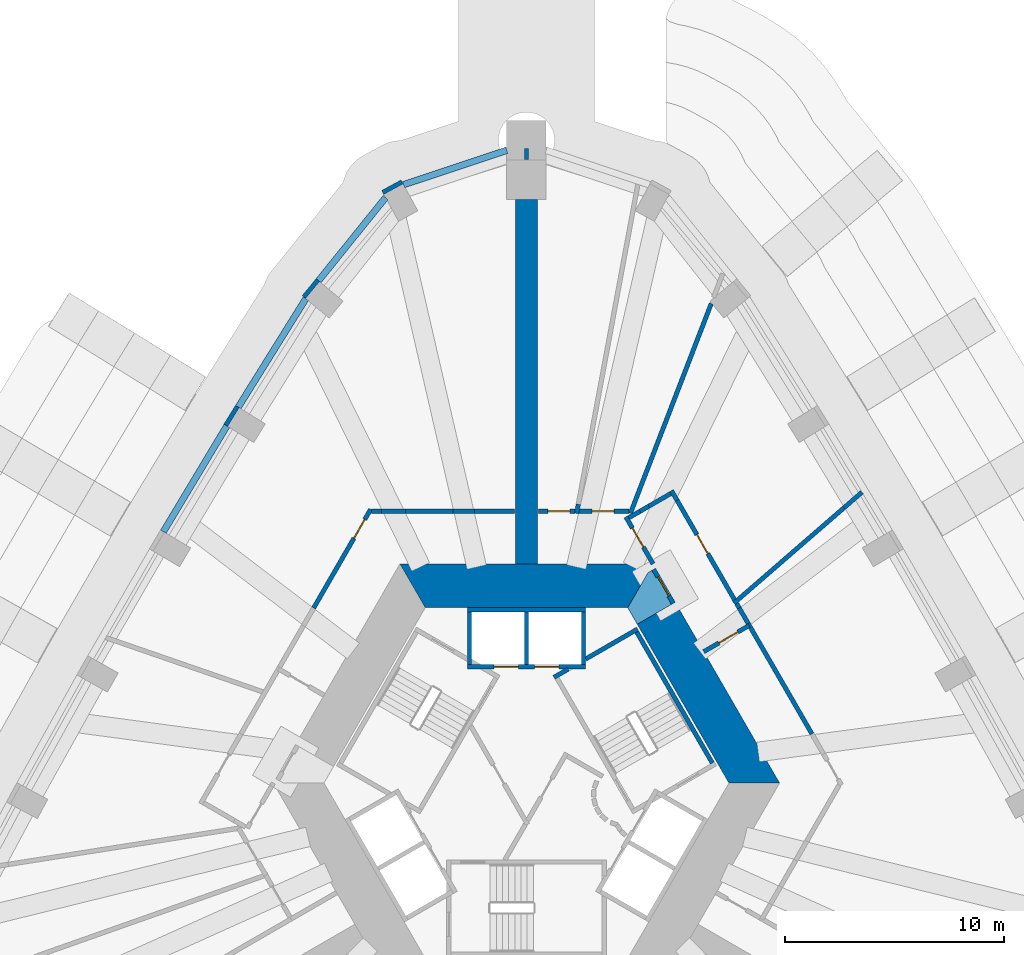
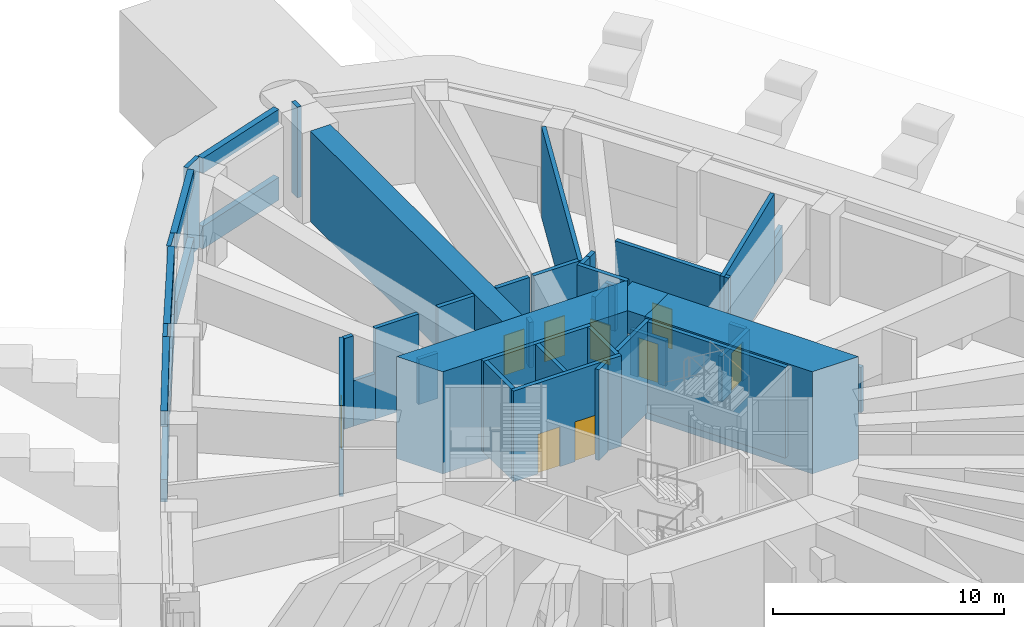
# One storey, part 7 of 16: 47 walls, 9 doors, 9 openings.
"""IFC4 building model written with IfcOpenShell, lengths in metres."""

from ifc_helpers import new_model, si_unit, direction, frame, frame_2d, origin, place, context, subcontext, project, spatial, polyline, rectangle, outline, extrude, material, layer, layer_set, type_object, element, fill, save


model = new_model("IFC4")

# Units and contexts
model_context = context("Model", 3, precision=1e-05, world=origin(), true_north=direction((0.0, 1.0)))
body_context = subcontext(model_context, "Body", "Model", "MODEL_VIEW")
ifc_project = project(units=[si_unit("LENGTHUNIT", "METRE"), si_unit("AREAUNIT", "SQUARE_METRE"), si_unit("VOLUMEUNIT", "CUBIC_METRE"), si_unit("PLANEANGLEUNIT", "RADIAN"), si_unit("MASSUNIT", "GRAM", prefix="KILO")], contexts=[model_context])

# Site, building, storey
site_placement = place(None, origin())
site = spatial("IfcSite", under=ifc_project, at=site_placement, CompositionType="ELEMENT")
building_placement = place(site_placement, origin())
building = spatial("IfcBuilding", under=site, at=building_placement, Name="Entoto Arch Interchange Tower", CompositionType="ELEMENT")
storey_placement = place(building_placement, frame((0.0, 0.0, 281.0)))
storey = spatial("IfcBuildingStorey", under=building, at=storey_placement, Name="L65", CompositionType="ELEMENT", Elevation=281.0)

# Wall, opening, door
ifc_material_1 = material(Name="Reinforced concrete C40/50", Category="concrete")
ifc_layer_1 = layer(ifc_material_1, 0.199951171875)
ifc_layer_set_1 = layer_set([ifc_layer_1], Name="Reinforced concrete C40/50")
wall_type_1 = type_object("IfcWallType", Name="CORE GAP INFILL WALL", PredefinedType="PARTITIONING", material=ifc_layer_set_1)
wall_1_placement = place(storey_placement, frame((6.698974609375, 10.697021484375, 0.0), z_axis=(0.0, 0.0, 1.0), x_axis=(-0.499914839587, 0.866074565589, 0.0)))
wall_1 = element("IfcWall", 1, at=wall_1_placement, inside=storey, type_object=wall_type_1, Name="wall:L65:gap2", PredefinedType="PARTITIONING", context=body_context, shape_type="SweptSolid", body=[
    extrude(rectangle(XDim=1.794189453125, YDim=0.199951171875, at=frame_2d((0.89697265625, 0.0))), origin(), (0.0, 0.0, 1.0), 2.39990234375),
])
opening_1_placement = place(wall_1_placement, frame((0.39697265625, 0.0, 0.0)))
opening_1 = element("IfcOpeningElement", 2, at=opening_1_placement, cuts=wall_1, Name="Opening L65-D92", PredefinedType="OPENING", context=body_context, shape_type="SweptSolid", body=[
    extrude(rectangle(XDim=1.0, YDim=2.10009765625, at=frame_2d((0.5, 1.050048828125))), frame((0.0, 0.10986328125, 0.0), z_axis=(0.0, -1.0, 0.0), x_axis=(1.0, 0.0, 0.0)), (0.0, 0.0, 1.0), 0.219970703125),
])
ifc_material_2 = material(Name="Fire-rated Steel S235 door and frame", Category="steel")
door_type_1 = type_object("IfcDoorType", Name="DOOR FD-10 1000x2100", OperationType="SINGLE_SWING_LEFT", PredefinedType="DOOR", material=ifc_material_2)
door_1_placement = place(opening_1_placement, origin())
door_1 = element("IfcDoor", 3, at=door_1_placement, inside=storey, type_object=door_type_1, Name="door:L65:gap2", OperationType="SINGLE_SWING_LEFT", OverallHeight=2.10009765625, OverallWidth=1.0, PredefinedType="DOOR", context=body_context, shape_type="SweptSolid", body=[
    extrude(rectangle(XDim=1.0, YDim=2.10009765625, at=frame_2d((0.5, 1.050048828125))), frame((0.0, 0.02490234375, 0.0), z_axis=(0.0, -1.0, 0.0), x_axis=(1.0, 0.0, 0.0)), (0.0, 0.0, 1.0), 0.050048828125),
])
fill(opening_1, door_1)

# Walls
ifc_material_3 = material(Name="Concrete C40/50", Category="concrete")
ifc_layer_2 = layer(ifc_material_3, 2.0)
ifc_layer_set_2 = layer_set([ifc_layer_2], Name="Concrete C40/50")
wall_type_2 = type_object("IfcWallType", Name="Core wall 2000 C40/50", PredefinedType="SHEAR", material=ifc_layer_set_2)
wall_2_placement = place(storey_placement, frame((0.0, 0.0, -0.60009765625)))
element("IfcWall", 4, at=wall_2_placement, inside=storey, type_object=wall_type_2, Name="Core wall NE L65", PredefinedType="SHEAR", context=body_context, shape_type="SweptSolid", body=[
    extrude(outline(polyline([(6.785888671875, 10.7470703125), (5.053955078125, 9.7470703125), (9.238037109375, 2.5), (11.547119140625, 2.5), (6.785888671875, 10.7470703125)])), origin(), (0.0, 0.0, 1.0), 5.400146484375),
])
wall_3_placement = place(storey_placement, frame((0.0, 0.0, 3.60009765625)))
element("IfcWall", 5, at=wall_3_placement, inside=storey, type_object=wall_type_2, Name="Core wall lintel NE L65", PredefinedType="SHEAR", context=body_context, shape_type="SweptSolid", body=[
    extrude(outline(polyline([(5.888916015625, 12.301025390625), (5.5439453125, 12.10205078125), (4.618896484375, 10.5), (5.053955078125, 9.7470703125), (6.785888671875, 10.7470703125), (5.888916015625, 12.301025390625)])), origin(), (0.0, 0.0, 1.0), 1.199951171875),
])
wall_4_placement = place(storey_placement, frame((0.0, 0.0, -0.60009765625)))
element("IfcWall", 6, at=wall_4_placement, inside=storey, type_object=wall_type_2, Name="Core wall N L65", PredefinedType="SHEAR", context=body_context, shape_type="SweptSolid", body=[
    extrude(outline(polyline([(5.77392578125, 12.5), (-5.77392578125, 12.5), (-4.618896484375, 10.5), (4.618896484375, 10.5), (5.77392578125, 12.5)])), origin(), (0.0, 0.0, 1.0), 5.400146484375),
])

# Wall, openings, doors
ifc_layer_3 = layer(ifc_material_3, 0.199951171875)
ifc_layer_set_3 = layer_set([ifc_layer_3], Name="Concrete C40/50")
wall_type_3 = type_object("IfcWallType", Name="LIFT SHAFT WALL 200", PredefinedType="STANDARD", material=ifc_layer_set_3)
wall_5_placement = place(storey_placement, frame((2.699951171875, 7.800048828125, 0.0), z_axis=(0.0, 0.0, 1.0), x_axis=(-1.0, 0.0, 0.0)))
wall_5 = element("IfcWall", 7, at=wall_5_placement, inside=storey, type_object=wall_type_3, Name="Shaft wall N1 front", PredefinedType="STANDARD", context=body_context, shape_type="SweptSolid", body=[
    extrude(rectangle(XDim=5.39990234375, YDim=0.199951171875, at=frame_2d((2.699951171875, 0.0))), origin(), (0.0, 0.0, 1.0), 4.800048828125),
])
opening_2_placement = place(wall_5_placement, frame((1.22509765625, 0.0, 0.0)))
opening_2 = element("IfcOpeningElement", 8, at=opening_2_placement, cuts=wall_5, Name="Opening LD-HR1-L65", PredefinedType="OPENING", context=body_context, shape_type="SweptSolid", body=[
    extrude(rectangle(XDim=1.10009765625, YDim=2.10009765625, at=frame_2d((0.550048828125, 1.050048828125))), frame((0.0, 0.10986328125, 0.0), z_axis=(0.0, -1.0, 0.0), x_axis=(1.0, 0.0, 0.0)), (0.0, 0.0, 1.0), 0.219970703125),
])
opening_3_placement = place(wall_5_placement, frame((3.074951171875, 0.0, 0.0)))
opening_3 = element("IfcOpeningElement", 9, at=opening_3_placement, cuts=wall_5, Name="Opening LD-HR2-L65", PredefinedType="OPENING", context=body_context, shape_type="SweptSolid", body=[
    extrude(rectangle(XDim=1.10009765625, YDim=2.10009765625, at=frame_2d((0.550048828125, 1.050048828125))), frame((0.0, 0.10986328125, 0.0), z_axis=(0.0, -1.0, 0.0), x_axis=(1.0, 0.0, 0.0)), (0.0, 0.0, 1.0), 0.219970703125),
])
ifc_material_4 = material(Name="Stainless steel 1.4301 panels", Category="steel")
door_type_2 = type_object("IfcDoorType", Name="LIFT LANDING DOOR LD1 1100x2100", OperationType="SLIDING_TO_LEFT", PredefinedType="DOOR", material=ifc_material_4)
door_2_placement = place(opening_2_placement, origin())
door_2 = element("IfcDoor", 10, at=door_2_placement, inside=storey, type_object=door_type_2, Name="Lift landing door HR1 L65", OperationType="SLIDING_TO_LEFT", OverallHeight=2.10009765625, OverallWidth=1.10009765625, PredefinedType="DOOR", context=body_context, shape_type="SweptSolid", body=[
    extrude(rectangle(XDim=1.10009765625, YDim=2.10009765625, at=frame_2d((0.550048828125, 1.050048828125))), frame((0.0, 0.02490234375, 0.0), z_axis=(0.0, -1.0, 0.0), x_axis=(1.0, 0.0, 0.0)), (0.0, 0.0, 1.0), 0.050048828125),
])
fill(opening_2, door_2)
door_3_placement = place(opening_3_placement, origin())
door_3 = element("IfcDoor", 11, at=door_3_placement, inside=storey, type_object=door_type_2, Name="Lift landing door HR2 L65", OperationType="SLIDING_TO_LEFT", OverallHeight=2.10009765625, OverallWidth=1.10009765625, PredefinedType="DOOR", context=body_context, shape_type="SweptSolid", body=[
    extrude(rectangle(XDim=1.10009765625, YDim=2.10009765625, at=frame_2d((0.550048828125, 1.050048828125))), frame((0.0, 0.02490234375, 0.0), z_axis=(0.0, -1.0, 0.0), x_axis=(1.0, 0.0, 0.0)), (0.0, 0.0, 1.0), 0.050048828125),
])
fill(opening_3, door_3)

# Walls
wall_6_placement = place(storey_placement, frame((2.699951171875, 10.39990234375, 0.0), z_axis=(0.0, 0.0, 1.0), x_axis=(-1.0, 0.0, 0.0)))
element("IfcWall", 12, at=wall_6_placement, inside=storey, type_object=wall_type_3, Name="Shaft wall N1 back", PredefinedType="STANDARD", context=body_context, shape_type="SweptSolid", body=[
    extrude(rectangle(XDim=5.39990234375, YDim=0.199951171875, at=frame_2d((2.699951171875, 0.0))), origin(), (0.0, 0.0, 1.0), 4.800048828125),
])
for number, where, z_axis, x_axis, name in (
    (13, (2.60009765625, 7.89990234375, 0.0), (0.0, 0.0, 1.0), (0.0, 1.0, 0.0), "Shaft wall N1 cross 1"),
    (14, (0.0, 7.89990234375, 0.0), (0.0, 0.0, 1.0), (0.0, 1.0, 0.0), "Shaft wall N1 cross 2"),
    (15, (-2.60009765625, 7.89990234375, 0.0), (0.0, 0.0, 1.0), (0.0, 1.0, 0.0), "Shaft wall N1 cross 3"),
):
    element("IfcWall", number, at=place(storey_placement, frame(where, z_axis=z_axis, x_axis=x_axis)), inside=storey, type_object=wall_type_3, Name=name, PredefinedType="STANDARD", context=body_context, shape_type="SweptSolid", body=[
        extrude(rectangle(XDim=2.400146484375, YDim=0.199951171875, at=frame_2d((1.2001953125, 0.0))), origin(), (0.0, 0.0, 1.0), 4.800048828125),
    ])
ifc_layer_4 = layer(ifc_material_3, 1.0)
ifc_layer_set_4 = layer_set([ifc_layer_4], Name="Concrete C40/50")
wall_type_4 = type_object("IfcWallType", Name="Outrigger wall 1000 C40/50", PredefinedType="SHEAR", material=ifc_layer_set_4)
wall_7_placement = place(storey_placement, frame((0.0, 12.5, 0.0), z_axis=(0.0, 0.0, 1.0), x_axis=(0.0, 1.0, 0.0)))
element("IfcWall", 16, at=wall_7_placement, inside=storey, type_object=wall_type_4, Name="Outrigger wall N L65", PredefinedType="SHEAR", context=body_context, shape_type="SweptSolid", body=[
    extrude(rectangle(XDim=16.6240234375, YDim=1.0, at=frame_2d((8.31201171875, 0.0))), origin(), (0.0, 0.0, 1.0), 4.800048828125),
])

# Wall, opening, door
ifc_material_5 = material(Name="Gypsum board partition on steel studs", Category="steel")
ifc_layer_5 = layer(ifc_material_5, 0.199951171875)
ifc_layer_set_5 = layer_set([ifc_layer_5], Name="Gypsum board partition on steel studs")
wall_type_5 = type_object("IfcWallType", Name="PARTITION 200", PredefinedType="PARTITIONING", material=ifc_layer_set_5)
wall_8_placement = place(storey_placement, frame((10.1650390625, 9.693115234375, 0.0), z_axis=(0.0, 0.0, 1.0), x_axis=(-0.865955154139, -0.50012165622, 0.0)))
wall_8 = element("IfcWall", 17, at=wall_8_placement, inside=storey, type_object=wall_type_5, Name="wall:L65:p027", PredefinedType="PARTITIONING", context=body_context, shape_type="SweptSolid", body=[
    extrude(rectangle(XDim=2.39990234375, YDim=0.199951171875, at=frame_2d((1.199951171875, 0.0))), origin(), (0.0, 0.0, 1.0), 2.39990234375),
])
opening_4_placement = place(wall_8_placement, frame((0.60009765625, 0.0, 0.0)))
opening_4 = element("IfcOpeningElement", 18, at=opening_4_placement, cuts=wall_8, Name="Opening L65-D06", PredefinedType="OPENING", context=body_context, shape_type="SweptSolid", body=[
    extrude(rectangle(XDim=1.0, YDim=2.10009765625, at=frame_2d((0.5, 1.050048828125))), frame((0.0, 0.10986328125, 0.0), z_axis=(0.0, -1.0, 0.0), x_axis=(1.0, 0.0, 0.0)), (0.0, 0.0, 1.0), 0.219970703125),
])
door_4_placement = place(opening_4_placement, origin())
door_4 = element("IfcDoor", 19, at=door_4_placement, inside=storey, type_object=door_type_1, Name="door:L65:06", OperationType="SINGLE_SWING_LEFT", OverallHeight=2.10009765625, OverallWidth=1.0, PredefinedType="DOOR", context=body_context, shape_type="SweptSolid", body=[
    extrude(rectangle(XDim=1.0, YDim=2.10009765625, at=frame_2d((0.5, 1.050048828125))), frame((0.0, 0.02490234375, 0.0), z_axis=(0.0, -1.0, 0.0), x_axis=(1.0, 0.0, 0.0)), (0.0, 0.0, 1.0), 0.050048828125),
])
fill(opening_4, door_4)

wall_9_placement = place(storey_placement, frame((5.77392578125, 12.5, 0.0), z_axis=(0.0, 0.0, 1.0), x_axis=(-0.500024335136, 0.866011353431, 0.0)))
wall_9 = element("IfcWall", 20, at=wall_9_placement, inside=storey, type_object=wall_type_5, Name="wall:L65:p028", PredefinedType="PARTITIONING", context=body_context, shape_type="SweptSolid", body=[
    extrude(rectangle(XDim=2.4736328125, YDim=0.199951171875, at=frame_2d((1.23681640625, 0.0))), origin(), (0.0, 0.0, 1.0), 4.800048828125),
])
opening_5_placement = place(wall_9_placement, frame((0.881103515625, 0.0, 0.0)))
opening_5 = element("IfcOpeningElement", 21, at=opening_5_placement, cuts=wall_9, Name="Opening L65-D07", PredefinedType="OPENING", context=body_context, shape_type="SweptSolid", body=[
    extrude(rectangle(XDim=1.0, YDim=2.10009765625, at=frame_2d((0.5, 1.050048828125))), frame((0.0, 0.10986328125, 0.0), z_axis=(0.0, -1.0, 0.0), x_axis=(1.0, 0.0, 0.0)), (0.0, 0.0, 1.0), 0.219970703125),
])
door_5_placement = place(opening_5_placement, origin())
door_5 = element("IfcDoor", 22, at=door_5_placement, inside=storey, type_object=door_type_1, Name="door:L65:07", OperationType="SINGLE_SWING_RIGHT", OverallHeight=2.10009765625, OverallWidth=1.0, PredefinedType="DOOR", context=body_context, shape_type="SweptSolid", body=[
    extrude(rectangle(XDim=1.0, YDim=2.10009765625, at=frame_2d((0.5, 1.050048828125))), frame((0.0, 0.02490234375, 0.0), z_axis=(0.0, -1.0, 0.0), x_axis=(1.0, 0.0, 0.0)), (0.0, 0.0, 1.0), 0.050048828125),
])
fill(opening_5, door_5)

# Walls
wall_10_placement = place(storey_placement, frame((4.674072265625, 14.60498046875, 0.0), z_axis=(0.0, 0.0, 1.0), x_axis=(0.865681519127, 0.500595153234, 0.0)))
element("IfcWall", 23, at=wall_10_placement, inside=storey, type_object=wall_type_5, Name="wall:L65:p029", PredefinedType="PARTITIONING", context=body_context, shape_type="SweptSolid", body=[
    extrude(rectangle(XDim=0.589111328125, YDim=0.199951171875, at=frame_2d((0.29443359375, 0.0))), origin(), (0.0, 0.0, 1.0), 4.800048828125),
])
wall_11_placement = place(storey_placement, frame((6.614990234375, 15.842041015625, 0.0), z_axis=(0.0, 0.0, 1.0), x_axis=(0.499571276714, -0.866272785837, 0.0)))
element("IfcWall", 24, at=wall_11_placement, inside=storey, type_object=wall_type_5, Name="wall:L65:p030", PredefinedType="PARTITIONING", context=body_context, shape_type="SweptSolid", body=[
    extrude(rectangle(XDim=0.5126953125, YDim=0.199951171875, at=frame_2d((0.25634765625, 0.0))), origin(), (0.0, 0.0, 1.0), 2.39990234375),
])
wall_12_placement = place(storey_placement, frame((5.18408203125, 14.89990234375, 0.0), z_axis=(0.0, 0.0, 1.0), x_axis=(0.865727674389, 0.500515328234, 0.0)))
element("IfcWall", 25, at=wall_12_placement, inside=storey, type_object=wall_type_5, Name="wall:L65:p031", PredefinedType="PARTITIONING", context=body_context, shape_type="SweptSolid", body=[
    extrude(rectangle(XDim=0.4619140625, YDim=0.199951171875, at=frame_2d((0.23095703125, 0.0))), origin(), (0.0, 0.0, 1.0), 4.800048828125),
])
wall_13_placement = place(storey_placement, frame((9.592041015625, 10.68505859375, 0.0), z_axis=(0.0, 0.0, 1.0), x_axis=(0.500366091518, -0.865813937552, 0.0)))
element("IfcWall", 26, at=wall_13_placement, inside=storey, type_object=wall_type_5, Name="wall:L65:p032", PredefinedType="PARTITIONING", context=body_context, shape_type="SweptSolid", body=[
    extrude(rectangle(XDim=0.229736328125, YDim=0.199951171875, at=frame_2d((0.11474609375, 0.0))), origin(), (0.0, 0.0, 1.0), 4.800048828125),
])
wall_14_placement = place(storey_placement, frame((10.114990234375, 9.780029296875, 0.0), z_axis=(0.0, 0.0, 1.0), x_axis=(0.500005696091, -0.86602211512, 0.0)))
element("IfcWall", 27, at=wall_14_placement, inside=storey, type_object=wall_type_5, Name="wall:L65:p034", PredefinedType="PARTITIONING", context=body_context, shape_type="SweptSolid", body=[
    extrude(rectangle(XDim=5.81982421875, YDim=0.199951171875, at=frame_2d((2.909912109375, 0.0))), origin(), (0.0, 0.0, 1.0), 2.39990234375),
])

# Wall, opening, door
wall_15_placement = place(storey_placement, frame((2.406982421875, 14.89990234375, 0.0), z_axis=(0.0, 0.0, 1.0), x_axis=(1.0, 0.0, 0.0)))
wall_15 = element("IfcWall", 28, at=wall_15_placement, inside=storey, type_object=wall_type_5, Name="wall:L65:p035", PredefinedType="PARTITIONING", context=body_context, shape_type="SweptSolid", body=[
    extrude(rectangle(XDim=2.27197265625, YDim=0.199951171875, at=frame_2d((1.135986328125, 0.0))), origin(), (0.0, 0.0, 1.0), 4.800048828125),
])
opening_6_placement = place(wall_15_placement, frame((0.593017578125, 0.0, 0.0)))
opening_6 = element("IfcOpeningElement", 29, at=opening_6_placement, cuts=wall_15, Name="Opening L65-D10", PredefinedType="OPENING", context=body_context, shape_type="SweptSolid", body=[
    extrude(rectangle(XDim=1.0, YDim=2.10009765625, at=frame_2d((0.5, 1.050048828125))), frame((0.0, 0.10986328125, 0.0), z_axis=(0.0, -1.0, 0.0), x_axis=(1.0, 0.0, 0.0)), (0.0, 0.0, 1.0), 0.219970703125),
])
door_6_placement = place(opening_6_placement, origin())
door_6 = element("IfcDoor", 30, at=door_6_placement, inside=storey, type_object=door_type_1, Name="door:L65:10", OperationType="SINGLE_SWING_LEFT", OverallHeight=2.10009765625, OverallWidth=1.0, PredefinedType="DOOR", context=body_context, shape_type="SweptSolid", body=[
    extrude(rectangle(XDim=1.0, YDim=2.10009765625, at=frame_2d((0.5, 1.050048828125))), frame((0.0, 0.02490234375, 0.0), z_axis=(0.0, -1.0, 0.0), x_axis=(1.0, 0.0, 0.0)), (0.0, 0.0, 1.0), 0.050048828125),
])
fill(opening_6, door_6)

wall_16_placement = place(storey_placement, frame((0.550048828125, 14.89990234375, 0.0), z_axis=(0.0, 0.0, 1.0), x_axis=(1.0, 0.0, 0.0)))
wall_16 = element("IfcWall", 31, at=wall_16_placement, inside=storey, type_object=wall_type_5, Name="wall:L65:p036", PredefinedType="PARTITIONING", context=body_context, shape_type="SweptSolid", body=[
    extrude(rectangle(XDim=1.656982421875, YDim=0.199951171875, at=frame_2d((0.82861328125, 0.0))), origin(), (0.0, 0.0, 1.0), 4.800048828125),
])
opening_7_placement = place(wall_16_placement, frame((0.427001953125, 0.0, 0.0)))
opening_7 = element("IfcOpeningElement", 32, at=opening_7_placement, cuts=wall_16, Name="Opening L65-D11", PredefinedType="OPENING", context=body_context, shape_type="SweptSolid", body=[
    extrude(rectangle(XDim=1.0, YDim=2.10009765625, at=frame_2d((0.5, 1.050048828125))), frame((0.0, 0.10986328125, 0.0), z_axis=(0.0, -1.0, 0.0), x_axis=(1.0, 0.0, 0.0)), (0.0, 0.0, 1.0), 0.219970703125),
])
door_7_placement = place(opening_7_placement, origin())
door_7 = element("IfcDoor", 33, at=door_7_placement, inside=storey, type_object=door_type_1, Name="door:L65:11", OperationType="SINGLE_SWING_RIGHT", OverallHeight=2.10009765625, OverallWidth=1.0, PredefinedType="DOOR", context=body_context, shape_type="SweptSolid", body=[
    extrude(rectangle(XDim=1.0, YDim=2.10009765625, at=frame_2d((0.5, 1.050048828125))), frame((0.0, 0.02490234375, 0.0), z_axis=(0.0, -1.0, 0.0), x_axis=(1.0, 0.0, 0.0)), (0.0, 0.0, 1.0), 0.050048828125),
])
fill(opening_7, door_7)

# Walls
wall_17_placement = place(storey_placement, frame((15.306884765625, 15.77001953125, 0.0), z_axis=(0.0, 0.0, 1.0), x_axis=(-0.755555277279, -0.655084897533, 0.0)))
element("IfcWall", 34, at=wall_17_placement, inside=storey, type_object=wall_type_5, Name="wall:L65:p037", PredefinedType="PARTITIONING", context=body_context, shape_type="SweptSolid", body=[
    extrude(rectangle(XDim=1.083740234375, YDim=0.199951171875, at=frame_2d((0.5419921875, 0.0))), origin(), (0.0, 0.0, 1.0), 2.39990234375),
])
wall_18_placement = place(storey_placement, frame((4.742919921875, 14.806884765625, 0.0), z_axis=(0.0, 0.0, 1.0), x_axis=(0.359634850081, 0.933093122152, 0.0)))
element("IfcWall", 35, at=wall_18_placement, inside=storey, type_object=wall_type_5, Name="wall:L65:p038", PredefinedType="PARTITIONING", context=body_context, shape_type="SweptSolid", body=[
    extrude(rectangle(XDim=10.252197265625, YDim=0.199951171875, at=frame_2d((5.1259765625, 0.0))), origin(), (0.0, 0.0, 1.0), 4.800048828125),
])
wall_19_placement = place(storey_placement, frame((2.2890625, 14.802001953125, 0.0), z_axis=(0.0, 0.0, 1.0), x_axis=(0.183025457922, 0.983108173983, 0.0)))
element("IfcWall", 36, at=wall_19_placement, inside=storey, type_object=wall_type_5, Name="wall:L65:p040", PredefinedType="PARTITIONING", context=body_context, shape_type="SweptSolid", body=[
    extrude(rectangle(XDim=0.420166015625, YDim=0.199951171875, at=frame_2d((0.2099609375, 0.0))), origin(), (0.0, 0.0, 1.0), 2.39990234375),
])
wall_20_placement = place(storey_placement, frame((0.0, 30.944091796875, 0.0), z_axis=(0.0, 0.0, 1.0), x_axis=(0.0, 1.0, 0.0)))
element("IfcWall", 37, at=wall_20_placement, inside=storey, type_object=wall_type_5, Name="wall:L65:p041", PredefinedType="PARTITIONING", context=body_context, shape_type="SweptSolid", body=[
    extrude(rectangle(XDim=0.5009765625, YDim=0.199951171875, at=frame_2d((0.25048828125, 0.0))), origin(), (0.0, 0.0, 1.0), 4.800048828125),
])
wall_21_placement = place(storey_placement, frame((-7.06005859375, 14.89990234375, 0.0), z_axis=(0.0, 0.0, 1.0), x_axis=(1.0, 0.0, 0.0)))
element("IfcWall", 38, at=wall_21_placement, inside=storey, type_object=wall_type_5, Name="wall:L65:p048", PredefinedType="PARTITIONING", context=body_context, shape_type="SweptSolid", body=[
    extrude(rectangle(XDim=0.446044921875, YDim=0.199951171875, at=frame_2d((0.22314453125, 0.0))), origin(), (0.0, 0.0, 1.0), 4.800048828125),
])

# Wall, opening, door
wall_22_placement = place(storey_placement, frame((6.87109375, 15.39794921875, 0.0), z_axis=(0.0, 0.0, 1.0), x_axis=(0.500031573455, -0.866007174074, 0.0)))
wall_22 = element("IfcWall", 39, at=wall_22_placement, inside=storey, type_object=wall_type_5, Name="wall:L65:p030", PredefinedType="PARTITIONING", context=body_context, shape_type="SweptSolid", body=[
    extrude(rectangle(XDim=5.241455078125, YDim=0.199951171875, at=frame_2d((2.62060546875, 0.0))), origin(), (0.0, 0.0, 1.0), 4.800048828125),
])
opening_8_placement = place(wall_22_placement, frame((1.81103515625, 0.0, 0.0)))
opening_8 = element("IfcOpeningElement", 40, at=opening_8_placement, cuts=wall_22, Name="Opening L65-D08", PredefinedType="OPENING", context=body_context, shape_type="SweptSolid", body=[
    extrude(rectangle(XDim=1.0, YDim=2.10009765625, at=frame_2d((0.5, 1.050048828125))), frame((0.0, 0.10986328125, 0.0), z_axis=(0.0, -1.0, 0.0), x_axis=(1.0, 0.0, 0.0)), (0.0, 0.0, 1.0), 0.219970703125),
])
door_8_placement = place(opening_8_placement, origin())
door_8 = element("IfcDoor", 41, at=door_8_placement, inside=storey, type_object=door_type_1, Name="door:L65:08", OperationType="SINGLE_SWING_LEFT", OverallHeight=2.10009765625, OverallWidth=1.0, PredefinedType="DOOR", context=body_context, shape_type="SweptSolid", body=[
    extrude(rectangle(XDim=1.0, YDim=2.10009765625, at=frame_2d((0.5, 1.050048828125))), frame((0.0, 0.02490234375, 0.0), z_axis=(0.0, -1.0, 0.0), x_axis=(1.0, 0.0, 0.0)), (0.0, 0.0, 1.0), 0.050048828125),
])
fill(opening_8, door_8)

# Walls
wall_23_placement = place(storey_placement, frame((5.583984375, 15.131103515625, 0.0), z_axis=(0.0, 0.0, 1.0), x_axis=(0.865969483213, 0.500096844764, 0.0)))
element("IfcWall", 42, at=wall_23_placement, inside=storey, type_object=wall_type_5, Name="wall:L65:p031", PredefinedType="PARTITIONING", context=body_context, shape_type="SweptSolid", body=[
    extrude(rectangle(XDim=1.147705078125, YDim=0.199951171875, at=frame_2d((0.57373046875, 0.0))), origin(), (0.0, 0.0, 1.0), 2.39990234375),
])
wall_24_placement = place(storey_placement, frame((9.70703125, 10.486083984375, 0.0), z_axis=(0.0, 0.0, 1.0), x_axis=(0.500292562113, -0.865856427068, 0.0)))
element("IfcWall", 43, at=wall_24_placement, inside=storey, type_object=wall_type_5, Name="wall:L65:p032", PredefinedType="PARTITIONING", context=body_context, shape_type="SweptSolid", body=[
    extrude(rectangle(XDim=0.8154296875, YDim=0.199951171875, at=frame_2d((0.40771484375, 0.0))), origin(), (0.0, 0.0, 1.0), 2.39990234375),
])
wall_25_placement = place(storey_placement, frame((14.488037109375, 15.06005859375, 0.0), z_axis=(0.0, 0.0, 1.0), x_axis=(-0.755567874399, -0.65507036811, 0.0)))
element("IfcWall", 44, at=wall_25_placement, inside=storey, type_object=wall_type_5, Name="wall:L65:p037", PredefinedType="PARTITIONING", context=body_context, shape_type="SweptSolid", body=[
    extrude(rectangle(XDim=6.646728515625, YDim=0.199951171875, at=frame_2d((3.3232421875, 0.0))), origin(), (0.0, 0.0, 1.0), 4.800048828125),
])

# Wall, opening, door
wall_26_placement = place(storey_placement, frame((-9.7080078125, 10.486083984375, 0.0), z_axis=(0.0, 0.0, 1.0), x_axis=(0.499893254026, 0.86608702483, 0.0)))
wall_26 = element("IfcWall", 45, at=wall_26_placement, inside=storey, type_object=wall_type_5, Name="wall:L65:p047", PredefinedType="PARTITIONING", context=body_context, shape_type="SweptSolid", body=[
    extrude(rectangle(XDim=5.197021484375, YDim=0.199951171875, at=frame_2d((2.5986328125, 0.0))), origin(), (0.0, 0.0, 1.0), 4.800048828125),
])
opening_9_placement = place(wall_26_placement, frame((3.675048828125, 0.0, 0.0)))
opening_9 = element("IfcOpeningElement", 46, at=opening_9_placement, cuts=wall_26, Name="Opening L65-D15", PredefinedType="OPENING", context=body_context, shape_type="SweptSolid", body=[
    extrude(rectangle(XDim=1.0, YDim=2.10009765625, at=frame_2d((0.5, 1.050048828125))), frame((0.0, 0.10986328125, 0.0), z_axis=(0.0, -1.0, 0.0), x_axis=(1.0, 0.0, 0.0)), (0.0, 0.0, 1.0), 0.219970703125),
])
door_9_placement = place(opening_9_placement, origin())
door_9 = element("IfcDoor", 47, at=door_9_placement, inside=storey, type_object=door_type_1, Name="door:L65:15", OperationType="SINGLE_SWING_RIGHT", OverallHeight=2.10009765625, OverallWidth=1.0, PredefinedType="DOOR", context=body_context, shape_type="SweptSolid", body=[
    extrude(rectangle(XDim=1.0, YDim=2.10009765625, at=frame_2d((0.5, 1.050048828125))), frame((0.0, 0.02490234375, 0.0), z_axis=(0.0, -1.0, 0.0), x_axis=(1.0, 0.0, 0.0)), (0.0, 0.0, 1.0), 0.050048828125),
])
fill(opening_9, door_9)

# Walls
wall_27_placement = place(storey_placement, frame((-6.614013671875, 14.89990234375, 0.0), z_axis=(0.0, 0.0, 1.0), x_axis=(1.0, 0.0, 0.0)))
element("IfcWall", 48, at=wall_27_placement, inside=storey, type_object=wall_type_5, Name="wall:L65:p048", PredefinedType="PARTITIONING", context=body_context, shape_type="SweptSolid", body=[
    extrude(rectangle(XDim=1.09912109375, YDim=0.199951171875, at=frame_2d((0.549560546875, 0.0))), origin(), (0.0, 0.0, 1.0), 2.39990234375),
])
wall_28_placement = place(storey_placement, frame((-5.514892578125, 14.89990234375, 0.0), z_axis=(0.0, 0.0, 1.0), x_axis=(1.0, 0.0, 0.0)))
element("IfcWall", 49, at=wall_28_placement, inside=storey, type_object=wall_type_5, Name="wall:L65:p048", PredefinedType="PARTITIONING", context=body_context, shape_type="SweptSolid", body=[
    extrude(rectangle(XDim=2.1728515625, YDim=0.199951171875, at=frame_2d((1.08642578125, 0.0))), origin(), (0.0, 0.0, 1.0), 4.800048828125),
])
wall_29_placement = place(storey_placement, frame((-3.342041015625, 14.89990234375, 0.0), z_axis=(0.0, 0.0, 1.0), x_axis=(1.0, 0.0, 0.0)))
element("IfcWall", 50, at=wall_29_placement, inside=storey, type_object=wall_type_5, Name="wall:L65:p048", PredefinedType="PARTITIONING", context=body_context, shape_type="SweptSolid", body=[
    extrude(rectangle(XDim=0.968994140625, YDim=0.199951171875, at=frame_2d((0.484375, 0.0))), origin(), (0.0, 0.0, 1.0), 2.39990234375),
])
wall_30_placement = place(storey_placement, frame((-2.373046875, 14.89990234375, 0.0), z_axis=(0.0, 0.0, 1.0), x_axis=(1.0, 0.0, 0.0)))
element("IfcWall", 51, at=wall_30_placement, inside=storey, type_object=wall_type_5, Name="wall:L65:p048", PredefinedType="PARTITIONING", context=body_context, shape_type="SweptSolid", body=[
    extrude(rectangle(XDim=1.822998046875, YDim=0.199951171875, at=frame_2d((0.91162109375, 0.0))), origin(), (0.0, 0.0, 1.0), 4.800048828125),
])
ifc_material_6 = material(Name="Board-marked precast concrete C50/60", Category="concrete")
ifc_layer_6 = layer(ifc_material_6, 0.199951171875)
ifc_layer_set_6 = layer_set([ifc_layer_6], Name="Board-marked precast concrete C50/60")
wall_type_6 = type_object("IfcWallType", Name="PRECAST FRAME WALL 200", PredefinedType="STANDARD", material=ifc_layer_set_6)
for number, where, z_axis, x_axis, name in (
    (52, (-5.677978515625, 29.922119140625, 0.0), (0.0, 0.0, 1.0), (-0.878250009632, -0.478201757191, 0.0), "Frame pier N3 L65"),
    (53, (-9.51904296875, 25.44189453125, 0.0), (0.0, 0.0, 1.0), (-0.638092327136, -0.769959857428, 0.0), "Frame pier NW01 L65"),
):
    element("IfcWall", number, at=place(storey_placement, frame(where, z_axis=z_axis, x_axis=x_axis)), inside=storey, type_object=wall_type_6, Name=name, PredefinedType="STANDARD", context=body_context, shape_type="SweptSolid", body=[
        extrude(rectangle(XDim=0.999755859375, YDim=0.199951171875, at=frame_2d((0.5, 0.0))), origin(), (0.0, 0.0, 1.0), 4.800048828125),
    ])
wall_31_placement = place(storey_placement, frame((-13.19189453125, 19.674072265625, 0.0), z_axis=(0.0, 0.0, 1.0), x_axis=(-0.525825307325, -0.850592585306, 0.0)))
element("IfcWall", 54, at=wall_31_placement, inside=storey, type_object=wall_type_6, Name="Frame pier NW02 L65", PredefinedType="STANDARD", context=body_context, shape_type="SweptSolid", body=[
    extrude(rectangle(XDim=1.00048828125, YDim=0.199951171875, at=frame_2d((0.500244140625, 0.0))), origin(), (0.0, 0.0, 1.0), 4.800048828125),
])
ifc_layer_7 = layer(ifc_material_6, 0.300048828125)
ifc_layer_set_7 = layer_set([ifc_layer_7], Name="Board-marked precast concrete C50/60")
wall_type_7 = type_object("IfcWallType", Name="PRECAST FRAME WALL 300", PredefinedType="STANDARD", material=ifc_layer_set_7)
wall_32_placement = place(storey_placement, frame((-0.89892578125, 31.366943359375, 0.0), z_axis=(0.0, 0.0, 1.0), x_axis=(-0.948737354495, -0.316065550459, 0.0)))
element("IfcWall", 55, at=wall_32_placement, inside=storey, type_object=wall_type_7, Name="Frame sill wall N-03 L65", PredefinedType="STANDARD", context=body_context, shape_type="SweptSolid", body=[
    extrude(rectangle(XDim=4.966796875, YDim=0.300048828125, at=frame_2d((2.4833984375, 0.0))), origin(), (0.0, 0.0, 1.0), 1.199951171875),
])
wall_33_placement = place(storey_placement, frame((-0.89892578125, 31.366943359375, 4.0), z_axis=(0.0, 0.0, 1.0), x_axis=(-0.948737354495, -0.316065550459, 0.0)))
element("IfcWall", 56, at=wall_33_placement, inside=storey, type_object=wall_type_7, Name="Frame head wall N-03 L65", PredefinedType="STANDARD", context=body_context, shape_type="SweptSolid", body=[
    extrude(rectangle(XDim=4.966796875, YDim=0.300048828125, at=frame_2d((2.4833984375, 0.0))), origin(), (0.0, 0.0, 1.0), 0.800048828125),
])
wall_34_placement = place(storey_placement, frame((-6.427001953125, 29.2080078125, 0.0), z_axis=(0.0, 0.0, 1.0), x_axis=(-0.627683908381, -0.778468310954, 0.0)))
element("IfcWall", 57, at=wall_34_placement, inside=storey, type_object=wall_type_7, Name="Frame sill wall N-04 L65", PredefinedType="STANDARD", context=body_context, shape_type="SweptSolid", body=[
    extrude(rectangle(XDim=4.87353515625, YDim=0.300048828125, at=frame_2d((2.436767578125, 0.0))), origin(), (0.0, 0.0, 1.0), 1.199951171875),
])
wall_35_placement = place(storey_placement, frame((-6.427001953125, 29.2080078125, 4.0), z_axis=(0.0, 0.0, 1.0), x_axis=(-0.627683908381, -0.778468310954, 0.0)))
element("IfcWall", 58, at=wall_35_placement, inside=storey, type_object=wall_type_7, Name="Frame head wall N-04 L65", PredefinedType="STANDARD", context=body_context, shape_type="SweptSolid", body=[
    extrude(rectangle(XDim=4.87353515625, YDim=0.300048828125, at=frame_2d((2.436767578125, 0.0))), origin(), (0.0, 0.0, 1.0), 0.800048828125),
])
wall_36_placement = place(storey_placement, frame((-10.06494140625, 24.596923828125, 0.0), z_axis=(0.0, 0.0, 1.0), x_axis=(-0.528722913279, -0.848794486889, 0.0)))
element("IfcWall", 59, at=wall_36_placement, inside=storey, type_object=wall_type_7, Name="Frame sill wall NW-01 L65", PredefinedType="STANDARD", context=body_context, shape_type="SweptSolid", body=[
    extrude(rectangle(XDim=5.8330078125, YDim=0.300048828125, at=frame_2d((2.91650390625, 0.0))), origin(), (0.0, 0.0, 1.0), 1.199951171875),
])
wall_37_placement = place(storey_placement, frame((-10.06494140625, 24.596923828125, 4.0), z_axis=(0.0, 0.0, 1.0), x_axis=(-0.528722913279, -0.848794486889, 0.0)))
element("IfcWall", 60, at=wall_37_placement, inside=storey, type_object=wall_type_7, Name="Frame head wall NW-01 L65", PredefinedType="STANDARD", context=body_context, shape_type="SweptSolid", body=[
    extrude(rectangle(XDim=5.8330078125, YDim=0.300048828125, at=frame_2d((2.91650390625, 0.0))), origin(), (0.0, 0.0, 1.0), 0.800048828125),
])
wall_38_placement = place(storey_placement, frame((-13.6689453125, 18.7939453125, 0.0), z_axis=(0.0, 0.0, 1.0), x_axis=(-0.514272513936, -0.857626831092, 0.0)))
element("IfcWall", 61, at=wall_38_placement, inside=storey, type_object=wall_type_7, Name="Frame sill wall NW-02 L65", PredefinedType="STANDARD", context=body_context, shape_type="SweptSolid", body=[
    extrude(rectangle(XDim=5.62939453125, YDim=0.300048828125, at=frame_2d((2.814697265625, 0.0))), origin(), (0.0, 0.0, 1.0), 1.199951171875),
])
wall_39_placement = place(storey_placement, frame((-13.6689453125, 18.7939453125, 4.0), z_axis=(0.0, 0.0, 1.0), x_axis=(-0.514272513936, -0.857626831092, 0.0)))
element("IfcWall", 62, at=wall_39_placement, inside=storey, type_object=wall_type_7, Name="Frame head wall NW-02 L65", PredefinedType="STANDARD", context=body_context, shape_type="SweptSolid", body=[
    extrude(rectangle(XDim=5.62939453125, YDim=0.300048828125, at=frame_2d((2.814697265625, 0.0))), origin(), (0.0, 0.0, 1.0), 0.800048828125),
])
ifc_layer_8 = layer(ifc_material_3, 0.199951171875)
ifc_layer_set_8 = layer_set([ifc_layer_8], Name="Concrete C40/50")
wall_type_8 = type_object("IfcWallType", Name="STAIR ENCLOSURE WALL 200", PredefinedType="STANDARD", material=ifc_layer_set_8)
wall_40_placement = place(storey_placement, frame((2.699951171875, 8.157958984375, 0.0), z_axis=(0.0, 0.0, 1.0), x_axis=(0.86611865017, 0.499838457731, 0.0)))
element("IfcWall", 63, at=wall_40_placement, inside=storey, type_object=wall_type_8, Name="Stair wall ST-NE far", PredefinedType="STANDARD", context=body_context, shape_type="SweptSolid", body=[
    extrude(rectangle(XDim=2.73291015625, YDim=0.199951171875, at=frame_2d((1.366455078125, 0.0))), origin(), (0.0, 0.0, 1.0), 4.800048828125),
])
wall_41_placement = place(storey_placement, frame((1.256103515625, 7.323974609375, 0.0), z_axis=(0.0, 0.0, 1.0), x_axis=(0.865915093549, 0.500191014278, 0.0)))
element("IfcWall", 64, at=wall_41_placement, inside=storey, type_object=wall_type_8, Name="Stair wall ST-NE far return", PredefinedType="STANDARD", context=body_context, shape_type="SweptSolid", body=[
    extrude(rectangle(XDim=0.751708984375, YDim=0.199951171875, at=frame_2d((0.3759765625, 0.0))), origin(), (0.0, 0.0, 1.0), 4.800048828125),
])
wall_42_placement = place(storey_placement, frame((8.47998046875, 3.412109375, 0.0), z_axis=(0.0, 0.0, 1.0), x_axis=(-0.499978703459, 0.866037698999, 0.0)))
element("IfcWall", 65, at=wall_42_placement, inside=storey, type_object=wall_type_8, Name="Stair wall ST-NE back", PredefinedType="STANDARD", context=body_context, shape_type="SweptSolid", body=[
    extrude(rectangle(XDim=6.900146484375, YDim=0.199951171875, at=frame_2d((3.4501953125, 0.0))), origin(), (0.0, 0.0, 1.0), 4.800048828125),
])

save(model, "model.ifc")
